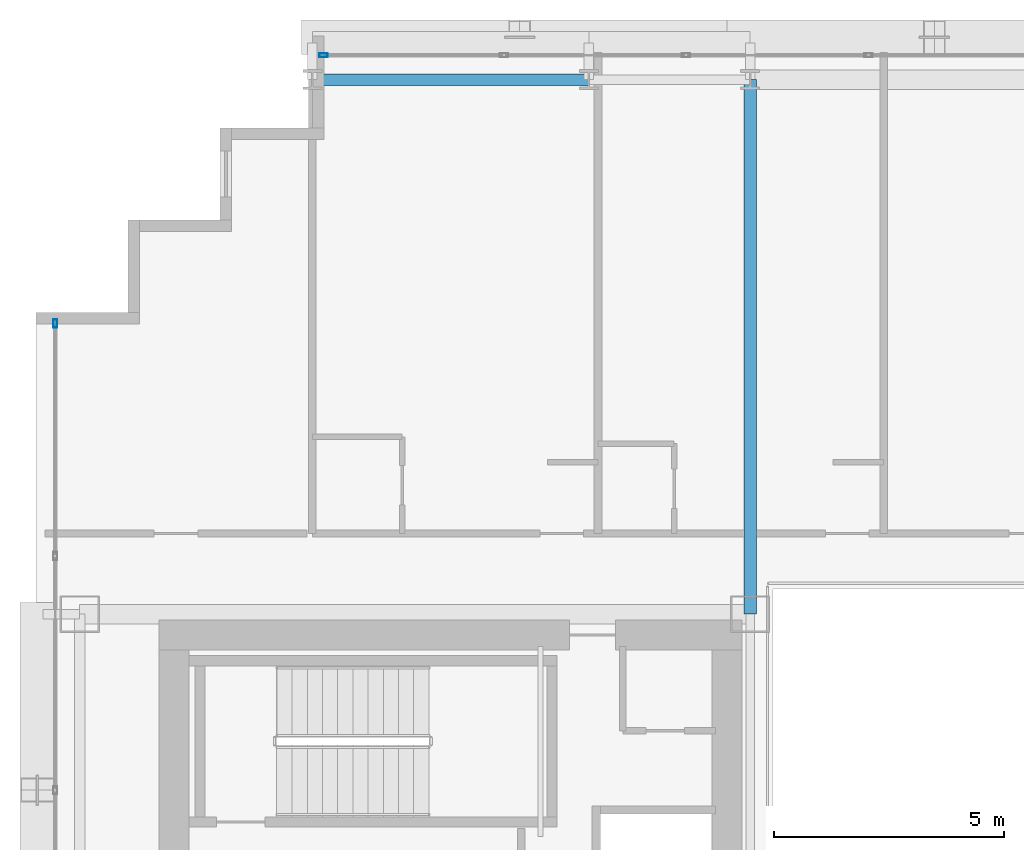
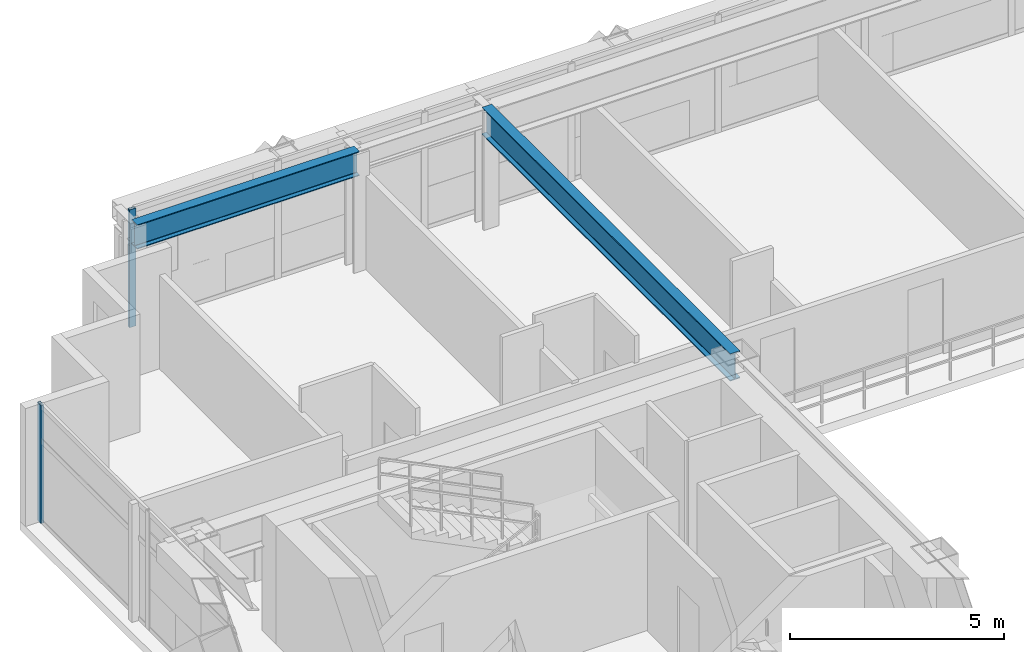
# One storey, part 17 of 35: 2 beams, 2 members, 2 elements without a shape of their own.
"""IFC4 building model written with IfcOpenShell, lengths in metres."""

from ifc_helpers import new_model, si_unit, direction, frame, origin, origin_2d, place, context, subcontext, project, spatial, hollow_rectangle, i_section, extrude, source, transform, mapped, material, layer, layer_set, material_profile, profile_set, type_object, element, aggregate, save


model = new_model("IFC4")

# Units and contexts
model_context = context("Model", 3, precision=1e-05, world=origin(), true_north=direction((0.0, 1.0)))
body_context = subcontext(model_context, "Body", "Model", "MODEL_VIEW")
ifc_project = project(units=[si_unit("LENGTHUNIT", "METRE"), si_unit("AREAUNIT", "SQUARE_METRE"), si_unit("VOLUMEUNIT", "CUBIC_METRE"), si_unit("PLANEANGLEUNIT", "RADIAN"), si_unit("MASSUNIT", "GRAM", prefix="KILO")], contexts=[model_context])

# Site, building, storey
site_placement = place(None, origin())
site = spatial("IfcSite", under=ifc_project, at=site_placement, CompositionType="ELEMENT")
building_placement = place(site_placement, origin())
building = spatial("IfcBuilding", under=site, at=building_placement, Name="Ocotamira Hotel", CompositionType="ELEMENT")
storey_placement = place(building_placement, frame((0.0, 0.0, 118.800048828125)))
storey = spatial("IfcBuildingStorey", under=building, at=storey_placement, Name="L29", CompositionType="ELEMENT", Elevation=118.800048828125)

# Beams
ifc_material_1 = material(Name="Steel ASTM A992 Grade 50", Category="steel")
ifc_material_profile_1 = material_profile(ifc_material_1, i_section(OverallWidth=0.256103515625, OverallDepth=0.693115234375, WebThickness=0.014404296875, FlangeThickness=0.023681640625, FilletRadius=0.01611328125, at=origin_2d()), Name="W27X114")
ifc_profile_set_1 = profile_set([ifc_material_profile_1], Name="Steel ASTM A992 Grade 50")
beam_type_1 = type_object("IfcBeamType", Name="BM-PRIM-W27X114", PredefinedType="BEAM", material=ifc_profile_set_1)
shared_shape_1 = source(origin(), body_context, "Body", "SweptSolid", [
    extrude(i_section(OverallWidth=0.256103515625, OverallDepth=0.693115234375, WebThickness=0.014404296875, FlangeThickness=0.023681640625, FilletRadius=0.01611328125, at=origin_2d()), origin(), (0.0, 0.0, 1.0), 6.0),
])
beam_1_placement = place(storey_placement, frame((14.0, 49.050048828125, 3.013427734375), z_axis=(1.0, 0.0, 0.0), x_axis=(0.0, 1.0, 0.0)))
element("IfcBeam", 1, at=beam_1_placement, inside=storey, type_object=beam_type_1, Name="L29 Girder Y49.05 X14-20", PredefinedType="BEAM", context=body_context, shape_type="MappedRepresentation", body=[
    mapped(shared_shape_1, transform((0.0, 0.0, 0.0), scale=1.0)),
])
ifc_material_profile_2 = material_profile(ifc_material_1, i_section(OverallWidth=0.26611328125, OverallDepth=0.779052734375, WebThickness=0.0166015625, FlangeThickness=0.030029296875, FilletRadius=0.01806640625, at=origin_2d()), Name="W30X148")
ifc_profile_set_2 = profile_set([ifc_material_profile_2], Name="Steel ASTM A992 Grade 50")
beam_type_2 = type_object("IfcBeamType", Name="BM-GIRD-W30X148", PredefinedType="BEAM", material=ifc_profile_set_2)
shared_shape_2 = source(origin(), body_context, "Body", "SweptSolid", [
    extrude(i_section(OverallWidth=0.26611328125, OverallDepth=0.779052734375, WebThickness=0.0166015625, FlangeThickness=0.030029296875, FilletRadius=0.01806640625, at=origin_2d()), origin(), (0.0, 0.0, 1.0), 11.60009765625),
])
beam_2_placement = place(storey_placement, frame((23.5, 37.449951171875, 2.970458984375), z_axis=(0.0, 1.0, 0.0), x_axis=(-1.0, 0.0, 0.0)))
element("IfcBeam", 2, at=beam_2_placement, inside=storey, type_object=beam_type_2, Name="L29 Beam X23.5 Y37.45-49.05", PredefinedType="BEAM", context=body_context, shape_type="MappedRepresentation", body=[
    mapped(shared_shape_2, transform((0.0, 0.0, 0.0), scale=1.0)),
])

# Curtain wall, member
ifc_material_2 = material(Name="Anodised pale-metal aluminium and solar glass", Category="aluminium")
ifc_layer = layer(ifc_material_2, 0.179931640625)
ifc_layer_set = layer_set([ifc_layer], Name="Anodised pale-metal aluminium and solar glass")
curtain_wall_type = type_object("IfcCurtainWallType", Name="CW-SYS3-Z2", PredefinedType="NOTDEFINED", material=ifc_layer_set)
curtain_wall_1_placement = place(storey_placement, origin())
curtain_wall_1 = element("IfcCurtainWall", 3, at=curtain_wall_1_placement, inside=storey, type_object=curtain_wall_type, Name="L29 Curtain Wall CW-3 CW-L29-N", PredefinedType="NOTDEFINED")
ifc_material_3 = material(Name="Anodised pale-metal aluminium 6063-T6", Category="aluminium")
ifc_material_profile_3 = material_profile(ifc_material_3, hollow_rectangle(XDim=0.080078125, YDim=0.179931640625, WallThickness=0.006103515625, at=origin_2d()), Name="HSS180X80X6")
ifc_profile_set_3 = profile_set([ifc_material_profile_3], Name="Anodised pale-metal aluminium 6063-T6")
member_type = type_object("IfcMemberType", Name="CWM-180X75", PredefinedType="MULLION", material=ifc_profile_set_3)
shared_shape_3 = source(origin(), body_context, "Body", "SweptSolid", [
    extrude(hollow_rectangle(XDim=0.080078125, YDim=0.179931640625, WallThickness=0.006103515625, at=origin_2d()), origin(), (0.0, 0.0, 1.0), 3.35986328125),
])
member_1_placement = place(storey_placement, frame((14.239990234375, 49.580078125, 0.0), z_axis=(0.0, 0.0, 1.0), x_axis=(0.0, 1.0, 0.0)))
member_1 = element("IfcMember", 4, at=member_1_placement, type_object=member_type, Name="CW-3 mullion 1", PredefinedType="MULLION", context=body_context, shape_type="MappedRepresentation", body=[
    mapped(shared_shape_3, transform((0.0, 0.0, 0.0), scale=1.0)),
])
aggregate(curtain_wall_1, [member_1])

curtain_wall_2_placement = place(storey_placement, origin())
curtain_wall_2 = element("IfcCurtainWall", 5, at=curtain_wall_2_placement, inside=storey, type_object=curtain_wall_type, Name="L29 Curtain Wall CW-3 CW-L29-W", PredefinedType="NOTDEFINED")
member_2_placement = place(storey_placement, frame((8.419921875, 43.760009765625, 0.0), z_axis=(0.0, 0.0, 1.0), x_axis=(-1.0, 0.0, 0.0)))
member_2 = element("IfcMember", 6, at=member_2_placement, type_object=member_type, Name="CW-3 mullion 8", PredefinedType="MULLION", context=body_context, shape_type="MappedRepresentation", body=[
    mapped(shared_shape_3, transform((0.0, 0.0, 0.0), scale=1.0)),
])
aggregate(curtain_wall_2, [member_2])

save(model, "model.ifc")
